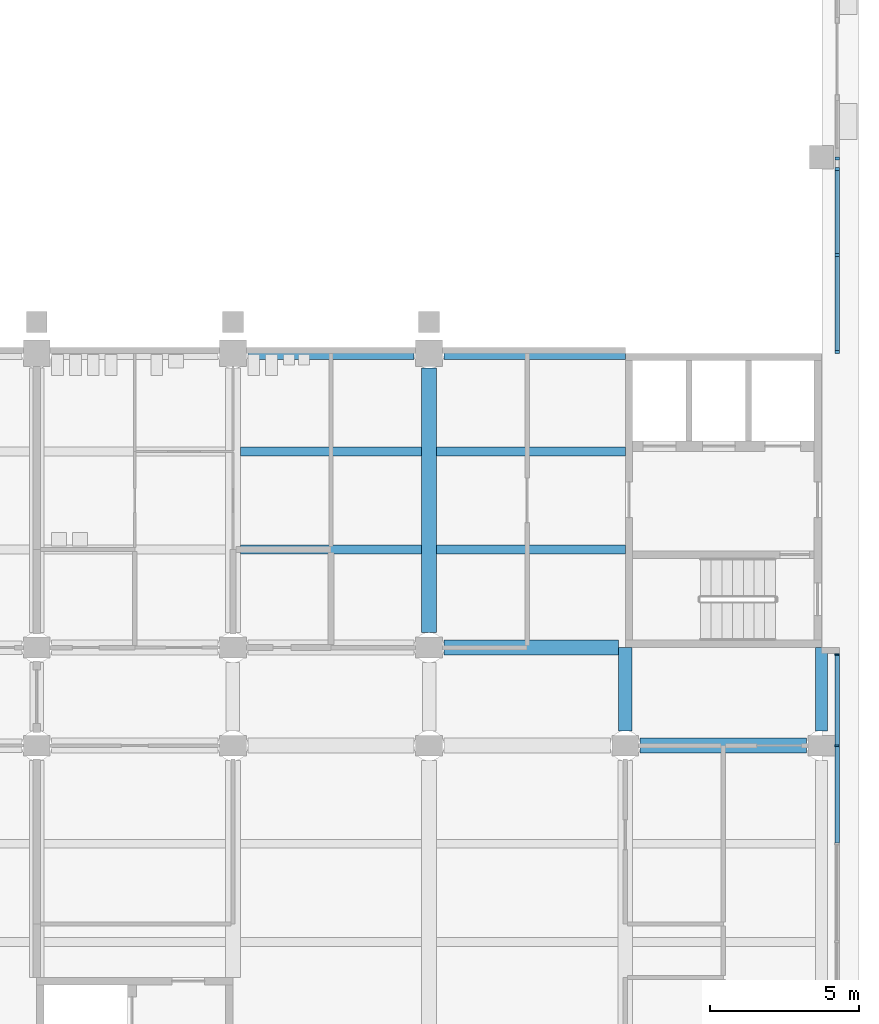
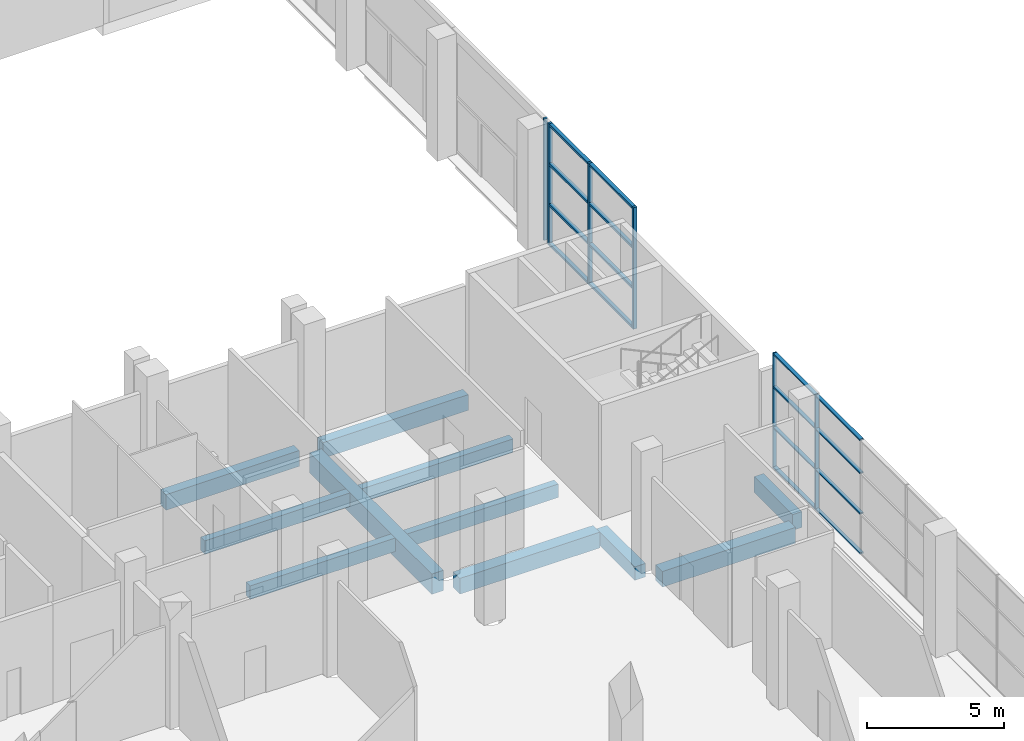
# One storey, part 11 of 85: 22 members, 11 beams, 2 elements without a shape of their own.
"""IFC4 building model written with IfcOpenShell, lengths in metres."""

from ifc_helpers import new_model, si_unit, direction, frame, origin, origin_2d, place, context, subcontext, project, spatial, rectangle, extrude, material, material_profile, profile_set, type_object, element, aggregate, save


model = new_model("IFC4")

# Units and contexts
model_context = context("Model", 3, precision=1e-05, world=origin(), true_north=direction((0.0, 1.0)))
body_context = subcontext(model_context, "Body", "Model", "MODEL_VIEW")
ifc_project = project(units=[si_unit("LENGTHUNIT", "METRE"), si_unit("AREAUNIT", "SQUARE_METRE"), si_unit("VOLUMEUNIT", "CUBIC_METRE"), si_unit("PLANEANGLEUNIT", "RADIAN"), si_unit("MASSUNIT", "GRAM", prefix="KILO")], contexts=[model_context])

# Site, building, storey
site_placement = place(None, origin())
site = spatial("IfcSite", under=ifc_project, at=site_placement, CompositionType="ELEMENT")
building_placement = place(site_placement, origin())
building = spatial("IfcBuilding", under=site, at=building_placement, Name="Lantern Court Research Institute", CompositionType="ELEMENT")
storey_placement = place(building_placement, origin())
storey = spatial("IfcBuildingStorey", under=building, at=storey_placement, Name="L00", CompositionType="ELEMENT", Elevation=0.0)

# Curtain wall, members
ifc_material_1 = material(Name="Aluminium alloy 6063-T6", Category="aluminium")
curtain_wall_type_1 = type_object("IfcCurtainWallType", Name="Curtain wall 6600 x 5400 x 150 aluminium frame", PredefinedType="NOTDEFINED", material=ifc_material_1)
curtain_wall_1_placement = place(storey_placement, origin())
curtain_wall_1 = element("IfcCurtainWall", 1, at=curtain_wall_1_placement, inside=storey, type_object=curtain_wall_type_1, Name="Curtain wall CW001", PredefinedType="NOTDEFINED")
ifc_material_2 = material(Name="Aluminium alloy 6063-T6", Category="aluminium")
ifc_material_profile_1 = material_profile(ifc_material_2, rectangle(XDim=0.14990234375, YDim=0.10009765625, at=origin_2d()), Name="Mullion 150 x 100")
ifc_profile_set_1 = profile_set([ifc_material_profile_1], Name="Aluminium alloy 6063-T6")
member_type_1 = type_object("IfcMemberType", Name="Mullion 150 x 100 aluminium", PredefinedType="MULLION", material=ifc_profile_set_1)
member_1_placement = place(storey_placement, frame((79.72509765625, 23.14990234375, 0.0), z_axis=(0.0, 0.0, 1.0), x_axis=(1.0, 0.0, 0.0)))
member_1 = element("IfcMember", 2, at=member_1_placement, type_object=member_type_1, Name="CW001 mullion 1", PredefinedType="MULLION", context=body_context, shape_type="SweptSolid", body=[
    extrude(rectangle(XDim=0.14990234375, YDim=0.10009765625, at=origin_2d()), origin(), (0.0, 0.0, 1.0), 5.39990234375),
])
member_2_placement = place(storey_placement, frame((79.72509765625, 26.39990234375, 0.0), z_axis=(0.0, 0.0, 1.0), x_axis=(1.0, 0.0, 0.0)))
member_2 = element("IfcMember", 3, at=member_2_placement, type_object=member_type_1, Name="CW001 mullion 2", PredefinedType="MULLION", context=body_context, shape_type="SweptSolid", body=[
    extrude(rectangle(XDim=0.14990234375, YDim=0.10009765625, at=origin_2d()), origin(), (0.0, 0.0, 1.0), 5.39990234375),
])
member_3_placement = place(storey_placement, frame((79.72509765625, 29.300048828125, 0.0), z_axis=(0.0, 0.0, 1.0), x_axis=(1.0, 0.0, 0.0)))
member_3 = element("IfcMember", 4, at=member_3_placement, type_object=member_type_1, Name="CW001 mullion 3", PredefinedType="MULLION", context=body_context, shape_type="SweptSolid", body=[
    extrude(rectangle(XDim=0.14990234375, YDim=0.10009765625, at=origin_2d()), origin(), (0.0, 0.0, 1.0), 5.39990234375),
])
member_4_placement = place(storey_placement, frame((79.72509765625, 29.64990234375, 0.0), z_axis=(0.0, 0.0, 1.0), x_axis=(1.0, 0.0, 0.0)))
member_4 = element("IfcMember", 5, at=member_4_placement, type_object=member_type_1, Name="CW001 mullion 4", PredefinedType="MULLION", context=body_context, shape_type="SweptSolid", body=[
    extrude(rectangle(XDim=0.14990234375, YDim=0.10009765625, at=origin_2d()), origin(), (0.0, 0.0, 1.0), 5.39990234375),
])

ifc_material_3 = material(Name="Aluminium alloy 6063-T6", Category="aluminium")
curtain_wall_type_2 = type_object("IfcCurtainWallType", Name="Curtain wall 21250 x 5100 x 150 aluminium frame", PredefinedType="NOTDEFINED", material=ifc_material_3)
curtain_wall_2_placement = place(storey_placement, origin())
curtain_wall_2 = element("IfcCurtainWall", 6, at=curtain_wall_2_placement, inside=storey, type_object=curtain_wall_type_2, Name="Curtain wall CW014", PredefinedType="NOTDEFINED")
ifc_material_4 = material(Name="Aluminium alloy 6063-T6", Category="aluminium")
ifc_material_profile_2 = material_profile(ifc_material_4, rectangle(XDim=0.14990234375, YDim=0.06005859375, at=origin_2d()), Name="Mullion 150 x 60")
ifc_profile_set_2 = profile_set([ifc_material_profile_2], Name="Aluminium alloy 6063-T6")
member_type_2 = type_object("IfcMemberType", Name="Mullion 150 x 60 aluminium", PredefinedType="MULLION", material=ifc_profile_set_2)
member_5_placement = place(storey_placement, frame((79.72509765625, 9.89990234375, 0.0), z_axis=(0.0, 0.0, 1.0), x_axis=(1.0, 0.0, 0.0)))
member_5 = element("IfcMember", 7, at=member_5_placement, type_object=member_type_2, Name="CW014 mullion 7", PredefinedType="MULLION", context=body_context, shape_type="SweptSolid", body=[
    extrude(rectangle(XDim=0.14990234375, YDim=0.06005859375, at=origin_2d()), origin(), (0.0, 0.0, 1.0), 5.10009765625),
])
member_6_placement = place(storey_placement, frame((79.72509765625, 12.969970703125, 0.0), z_axis=(0.0, 0.0, 1.0), x_axis=(1.0, 0.0, 0.0)))
member_6 = element("IfcMember", 8, at=member_6_placement, type_object=member_type_2, Name="CW014 mullion 8", PredefinedType="MULLION", context=body_context, shape_type="SweptSolid", body=[
    extrude(rectangle(XDim=0.14990234375, YDim=0.06005859375, at=origin_2d()), origin(), (0.0, 0.0, 1.0), 5.10009765625),
])

# Beams
ifc_material_5 = material(Name="Concrete C40/50", Category="concrete")
ifc_material_profile_3 = material_profile(ifc_material_5, rectangle(XDim=0.5, YDim=0.699951171875, at=origin_2d()), Name="RC beam 500 x 700")
ifc_profile_set_3 = profile_set([ifc_material_profile_3], Name="Concrete C40/50")
beam_type_1 = type_object("IfcBeamType", Name="RC beam 500 x 700", PredefinedType="BEAM", material=ifc_profile_set_3)
beam_1_placement = place(storey_placement, frame((73.10009765625, 9.89990234375, -0.64990234375), z_axis=(1.0, 0.0, 0.0), x_axis=(0.0, 1.0, 0.0)))
element("IfcBeam", 9, at=beam_1_placement, inside=storey, type_object=beam_type_1, Name="Beam L00 grid B/12-13", PredefinedType="BEAM", context=body_context, shape_type="SweptSolid", body=[
    extrude(rectangle(XDim=0.5, YDim=0.699951171875, at=origin_2d()), origin(), (0.0, 0.0, 1.0), 5.599853515625),
])
beam_2_placement = place(storey_placement, frame((66.5, 13.199951171875, -0.64990234375), z_axis=(1.0, 0.0, 0.0), x_axis=(0.0, 1.0, 0.0)))
element("IfcBeam", 10, at=beam_2_placement, inside=storey, type_object=beam_type_1, Name="Beam L00 grid C/11-12", PredefinedType="BEAM", context=body_context, shape_type="SweptSolid", body=[
    extrude(rectangle(XDim=0.5, YDim=0.699951171875, at=origin_2d()), origin(), (0.0, 0.0, 1.0), 5.875),
])
ifc_material_6 = material(Name="Concrete C40/50", Category="concrete")
ifc_material_profile_4 = material_profile(ifc_material_6, rectangle(XDim=0.39990234375, YDim=0.699951171875, at=origin_2d()), Name="RC beam 400 x 700")
ifc_profile_set_4 = profile_set([ifc_material_profile_4], Name="Concrete C40/50")
beam_type_2 = type_object("IfcBeamType", Name="RC edge beam 400 x 700", PredefinedType="BEAM", material=ifc_profile_set_4)
beam_3_placement = place(storey_placement, frame((79.199951171875, 10.39990234375, -0.64990234375), z_axis=(0.0, 1.0, 0.0), x_axis=(-1.0, 0.0, 0.0)))
element("IfcBeam", 11, at=beam_3_placement, inside=storey, type_object=beam_type_2, Name="Edge beam L00 grid 13/B-C", PredefinedType="BEAM", context=body_context, shape_type="SweptSolid", body=[
    extrude(rectangle(XDim=0.39990234375, YDim=0.699951171875, at=origin_2d()), origin(), (0.0, 0.0, 1.0), 2.800048828125),
])
beam_4_placement = place(storey_placement, frame((59.89990234375, 23.10009765625, -0.64990234375), z_axis=(1.0, 0.0, 0.0), x_axis=(0.0, 1.0, 0.0)))
element("IfcBeam", 12, at=beam_4_placement, inside=storey, type_object=beam_type_2, Name="Edge beam L00 grid D/10-11", PredefinedType="BEAM", context=body_context, shape_type="SweptSolid", body=[
    extrude(rectangle(XDim=0.39990234375, YDim=0.699951171875, at=origin_2d()), origin(), (0.0, 0.0, 1.0), 5.60009765625),
])
beam_5_placement = place(storey_placement, frame((66.5, 23.10009765625, -0.64990234375), z_axis=(1.0, 0.0, 0.0), x_axis=(0.0, 1.0, 0.0)))
element("IfcBeam", 13, at=beam_5_placement, inside=storey, type_object=beam_type_2, Name="Edge beam L00 grid D/11-12", PredefinedType="BEAM", context=body_context, shape_type="SweptSolid", body=[
    extrude(rectangle(XDim=0.39990234375, YDim=0.699951171875, at=origin_2d()), origin(), (0.0, 0.0, 1.0), 6.10009765625),
])
ifc_material_7 = material(Name="Concrete C40/50", Category="concrete")
ifc_material_profile_5 = material_profile(ifc_material_7, rectangle(XDim=0.5, YDim=0.89990234375, at=origin_2d()), Name="RC beam 500 x 900")
ifc_profile_set_5 = profile_set([ifc_material_profile_5], Name="Concrete C40/50")
beam_type_3 = type_object("IfcBeamType", Name="RC girder 500 x 900", PredefinedType="BEAM", material=ifc_profile_set_5)
beam_6_placement = place(storey_placement, frame((66.0, 13.699951171875, -0.75), z_axis=(0.0, 1.0, 0.0), x_axis=(-1.0, 0.0, 0.0)))
element("IfcBeam", 14, at=beam_6_placement, inside=storey, type_object=beam_type_3, Name="Girder L00 grid 11/C-D", PredefinedType="BEAM", context=body_context, shape_type="SweptSolid", body=[
    extrude(rectangle(XDim=0.5, YDim=0.89990234375, at=origin_2d()), origin(), (0.0, 0.0, 1.0), 8.900146484375),
])
ifc_material_8 = material(Name="Concrete C40/50", Category="concrete")
ifc_material_profile_6 = material_profile(ifc_material_8, rectangle(XDim=0.300048828125, YDim=0.60009765625, at=origin_2d()), Name="RC beam 300 x 600")
ifc_profile_set_6 = profile_set([ifc_material_profile_6], Name="Concrete C40/50")
beam_type_4 = type_object("IfcBeamType", Name="RC secondary beam 300 x 600", PredefinedType="BEAM", material=ifc_profile_set_6)
beam_7_placement = place(storey_placement, frame((59.64990234375, 16.5, -0.60009765625), z_axis=(1.0, 0.0, 0.0), x_axis=(0.0, 1.0, 0.0)))
element("IfcBeam", 15, at=beam_7_placement, inside=storey, type_object=beam_type_4, Name="Secondary beam L00 grids 10-11 / C-D, line 1", PredefinedType="BEAM", context=body_context, shape_type="SweptSolid", body=[
    extrude(rectangle(XDim=0.300048828125, YDim=0.60009765625, at=origin_2d()), origin(), (0.0, 0.0, 1.0), 6.10009765625),
])
beam_8_placement = place(storey_placement, frame((66.25, 16.5, -0.60009765625), z_axis=(1.0, 0.0, 0.0), x_axis=(0.0, 1.0, 0.0)))
element("IfcBeam", 16, at=beam_8_placement, inside=storey, type_object=beam_type_4, Name="Secondary beam L00 grids 11-12 / C-D, line 1", PredefinedType="BEAM", context=body_context, shape_type="SweptSolid", body=[
    extrude(rectangle(XDim=0.300048828125, YDim=0.60009765625, at=origin_2d()), origin(), (0.0, 0.0, 1.0), 6.35009765625),
])
beam_9_placement = place(storey_placement, frame((59.64990234375, 19.800048828125, -0.60009765625), z_axis=(1.0, 0.0, 0.0), x_axis=(0.0, 1.0, 0.0)))
element("IfcBeam", 17, at=beam_9_placement, inside=storey, type_object=beam_type_4, Name="Secondary beam L00 grids 10-11 / C-D, line 2", PredefinedType="BEAM", context=body_context, shape_type="SweptSolid", body=[
    extrude(rectangle(XDim=0.300048828125, YDim=0.60009765625, at=origin_2d()), origin(), (0.0, 0.0, 1.0), 6.10009765625),
])
beam_10_placement = place(storey_placement, frame((66.25, 19.800048828125, -0.60009765625), z_axis=(1.0, 0.0, 0.0), x_axis=(0.0, 1.0, 0.0)))
element("IfcBeam", 18, at=beam_10_placement, inside=storey, type_object=beam_type_4, Name="Secondary beam L00 grids 11-12 / C-D, line 2", PredefinedType="BEAM", context=body_context, shape_type="SweptSolid", body=[
    extrude(rectangle(XDim=0.300048828125, YDim=0.60009765625, at=origin_2d()), origin(), (0.0, 0.0, 1.0), 6.35009765625),
])
ifc_material_9 = material(Name="Concrete C40/50", Category="concrete")
ifc_material_profile_7 = material_profile(ifc_material_9, rectangle(XDim=0.449951171875, YDim=0.60009765625, at=origin_2d()), Name="RC beam 450 x 600")
ifc_profile_set_7 = profile_set([ifc_material_profile_7], Name="Concrete C40/50")
beam_type_5 = type_object("IfcBeamType", Name="RC spine beam 450 x 600", PredefinedType="BEAM", material=ifc_profile_set_7)
beam_11_placement = place(storey_placement, frame((72.60009765625, 10.39990234375, -0.60009765625), z_axis=(0.0, 1.0, 0.0), x_axis=(-1.0, 0.0, 0.0)))
element("IfcBeam", 19, at=beam_11_placement, inside=storey, type_object=beam_type_5, Name="Beam L00 grid 12/B-C", PredefinedType="BEAM", context=body_context, shape_type="SweptSolid", body=[
    extrude(rectangle(XDim=0.449951171875, YDim=0.60009765625, at=origin_2d()), origin(), (0.0, 0.0, 1.0), 2.800048828125),
])

# Member
ifc_material_10 = material(Name="Aluminium alloy 6063-T6", Category="aluminium")
ifc_material_profile_8 = material_profile(ifc_material_10, rectangle(XDim=0.14990234375, YDim=0.10009765625, at=origin_2d()), Name="Transom 150 x 100")
ifc_profile_set_8 = profile_set([ifc_material_profile_8], Name="Aluminium alloy 6063-T6")
member_type_3 = type_object("IfcMemberType", Name="Transom 150 x 100 aluminium", PredefinedType="USERDEFINED", material=ifc_profile_set_8)
member_7_placement = place(storey_placement, frame((79.72509765625, 26.35009765625, 0.050048828125), z_axis=(0.0, -1.0, 0.0), x_axis=(1.0, 0.0, 0.0)))
member_7 = element("IfcMember", 20, at=member_7_placement, type_object=member_type_3, Name="CW001 transom 1.1", ObjectType="TRANSOM", PredefinedType="USERDEFINED", context=body_context, shape_type="SweptSolid", body=[
    extrude(rectangle(XDim=0.14990234375, YDim=0.10009765625, at=origin_2d()), origin(), (0.0, 0.0, 1.0), 3.150146484375),
])

member_8_placement = place(storey_placement, frame((79.72509765625, 26.35009765625, 1.800048828125), z_axis=(0.0, -1.0, 0.0), x_axis=(1.0, 0.0, 0.0)))
member_8 = element("IfcMember", 21, at=member_8_placement, type_object=member_type_3, Name="CW001 transom 1.2", ObjectType="TRANSOM", PredefinedType="USERDEFINED", context=body_context, shape_type="SweptSolid", body=[
    extrude(rectangle(XDim=0.14990234375, YDim=0.10009765625, at=origin_2d()), origin(), (0.0, 0.0, 1.0), 3.150146484375),
])

member_9_placement = place(storey_placement, frame((79.72509765625, 26.35009765625, 3.60009765625), z_axis=(0.0, -1.0, 0.0), x_axis=(1.0, 0.0, 0.0)))
member_9 = element("IfcMember", 22, at=member_9_placement, type_object=member_type_3, Name="CW001 transom 1.3", ObjectType="TRANSOM", PredefinedType="USERDEFINED", context=body_context, shape_type="SweptSolid", body=[
    extrude(rectangle(XDim=0.14990234375, YDim=0.10009765625, at=origin_2d()), origin(), (0.0, 0.0, 1.0), 3.150146484375),
])

member_10_placement = place(storey_placement, frame((79.72509765625, 26.35009765625, 5.35009765625), z_axis=(0.0, -1.0, 0.0), x_axis=(1.0, 0.0, 0.0)))
member_10 = element("IfcMember", 23, at=member_10_placement, type_object=member_type_3, Name="CW001 transom 1.4", ObjectType="TRANSOM", PredefinedType="USERDEFINED", context=body_context, shape_type="SweptSolid", body=[
    extrude(rectangle(XDim=0.14990234375, YDim=0.10009765625, at=origin_2d()), origin(), (0.0, 0.0, 1.0), 3.150146484375),
])

member_11_placement = place(storey_placement, frame((79.72509765625, 29.25, 0.050048828125), z_axis=(0.0, -1.0, 0.0), x_axis=(1.0, 0.0, 0.0)))
member_11 = element("IfcMember", 24, at=member_11_placement, type_object=member_type_3, Name="CW001 transom 2.1", ObjectType="TRANSOM", PredefinedType="USERDEFINED", context=body_context, shape_type="SweptSolid", body=[
    extrude(rectangle(XDim=0.14990234375, YDim=0.10009765625, at=origin_2d()), origin(), (0.0, 0.0, 1.0), 2.800048828125),
])

member_12_placement = place(storey_placement, frame((79.72509765625, 29.25, 1.800048828125), z_axis=(0.0, -1.0, 0.0), x_axis=(1.0, 0.0, 0.0)))
member_12 = element("IfcMember", 25, at=member_12_placement, type_object=member_type_3, Name="CW001 transom 2.2", ObjectType="TRANSOM", PredefinedType="USERDEFINED", context=body_context, shape_type="SweptSolid", body=[
    extrude(rectangle(XDim=0.14990234375, YDim=0.10009765625, at=origin_2d()), origin(), (0.0, 0.0, 1.0), 2.800048828125),
])

member_13_placement = place(storey_placement, frame((79.72509765625, 29.25, 3.60009765625), z_axis=(0.0, -1.0, 0.0), x_axis=(1.0, 0.0, 0.0)))
member_13 = element("IfcMember", 26, at=member_13_placement, type_object=member_type_3, Name="CW001 transom 2.3", ObjectType="TRANSOM", PredefinedType="USERDEFINED", context=body_context, shape_type="SweptSolid", body=[
    extrude(rectangle(XDim=0.14990234375, YDim=0.10009765625, at=origin_2d()), origin(), (0.0, 0.0, 1.0), 2.800048828125),
])

member_14_placement = place(storey_placement, frame((79.72509765625, 29.25, 5.35009765625), z_axis=(0.0, -1.0, 0.0), x_axis=(1.0, 0.0, 0.0)))
member_14 = element("IfcMember", 27, at=member_14_placement, type_object=member_type_3, Name="CW001 transom 2.4", ObjectType="TRANSOM", PredefinedType="USERDEFINED", context=body_context, shape_type="SweptSolid", body=[
    extrude(rectangle(XDim=0.14990234375, YDim=0.10009765625, at=origin_2d()), origin(), (0.0, 0.0, 1.0), 2.800048828125),
])

aggregate(curtain_wall_1, [member_1, member_2, member_3, member_4, member_7, member_8, member_9, member_10, member_11, member_12, member_13, member_14])

ifc_material_11 = material(Name="Aluminium alloy 6063-T6", Category="aluminium")
ifc_material_profile_9 = material_profile(ifc_material_11, rectangle(XDim=0.14990234375, YDim=0.06005859375, at=origin_2d()), Name="Transom 150 x 60")
ifc_profile_set_9 = profile_set([ifc_material_profile_9], Name="Aluminium alloy 6063-T6")
member_type_4 = type_object("IfcMemberType", Name="Transom 150 x 60 aluminium", PredefinedType="USERDEFINED", material=ifc_profile_set_9)
member_15_placement = place(storey_placement, frame((79.72509765625, 9.8701171875, 0.030029296875), z_axis=(0.0, -1.0, 0.0), x_axis=(1.0, 0.0, 0.0)))
member_15 = element("IfcMember", 28, at=member_15_placement, type_object=member_type_4, Name="CW014 transom 6.1", ObjectType="TRANSOM", PredefinedType="USERDEFINED", context=body_context, shape_type="SweptSolid", body=[
    extrude(rectangle(XDim=0.14990234375, YDim=0.06005859375, at=origin_2d()), origin(), (0.0, 0.0, 1.0), 3.240234375),
])

member_16_placement = place(storey_placement, frame((79.72509765625, 9.8701171875, 1.800048828125), z_axis=(0.0, -1.0, 0.0), x_axis=(1.0, 0.0, 0.0)))
member_16 = element("IfcMember", 29, at=member_16_placement, type_object=member_type_4, Name="CW014 transom 6.2", ObjectType="TRANSOM", PredefinedType="USERDEFINED", context=body_context, shape_type="SweptSolid", body=[
    extrude(rectangle(XDim=0.14990234375, YDim=0.06005859375, at=origin_2d()), origin(), (0.0, 0.0, 1.0), 3.240234375),
])

member_17_placement = place(storey_placement, frame((79.72509765625, 9.8701171875, 3.60009765625), z_axis=(0.0, -1.0, 0.0), x_axis=(1.0, 0.0, 0.0)))
member_17 = element("IfcMember", 30, at=member_17_placement, type_object=member_type_4, Name="CW014 transom 6.3", ObjectType="TRANSOM", PredefinedType="USERDEFINED", context=body_context, shape_type="SweptSolid", body=[
    extrude(rectangle(XDim=0.14990234375, YDim=0.06005859375, at=origin_2d()), origin(), (0.0, 0.0, 1.0), 3.240234375),
])

member_18_placement = place(storey_placement, frame((79.72509765625, 9.8701171875, 5.070068359375), z_axis=(0.0, -1.0, 0.0), x_axis=(1.0, 0.0, 0.0)))
member_18 = element("IfcMember", 31, at=member_18_placement, type_object=member_type_4, Name="CW014 transom 6.4", ObjectType="TRANSOM", PredefinedType="USERDEFINED", context=body_context, shape_type="SweptSolid", body=[
    extrude(rectangle(XDim=0.14990234375, YDim=0.06005859375, at=origin_2d()), origin(), (0.0, 0.0, 1.0), 3.240234375),
])

member_19_placement = place(storey_placement, frame((79.72509765625, 12.93994140625, 0.030029296875), z_axis=(0.0, -1.0, 0.0), x_axis=(1.0, 0.0, 0.0)))
member_19 = element("IfcMember", 32, at=member_19_placement, type_object=member_type_4, Name="CW014 transom 7.1", ObjectType="TRANSOM", PredefinedType="USERDEFINED", context=body_context, shape_type="SweptSolid", body=[
    extrude(rectangle(XDim=0.14990234375, YDim=0.06005859375, at=origin_2d()), origin(), (0.0, 0.0, 1.0), 3.010009765625),
])

member_20_placement = place(storey_placement, frame((79.72509765625, 12.93994140625, 1.800048828125), z_axis=(0.0, -1.0, 0.0), x_axis=(1.0, 0.0, 0.0)))
member_20 = element("IfcMember", 33, at=member_20_placement, type_object=member_type_4, Name="CW014 transom 7.2", ObjectType="TRANSOM", PredefinedType="USERDEFINED", context=body_context, shape_type="SweptSolid", body=[
    extrude(rectangle(XDim=0.14990234375, YDim=0.06005859375, at=origin_2d()), origin(), (0.0, 0.0, 1.0), 3.010009765625),
])

member_21_placement = place(storey_placement, frame((79.72509765625, 12.93994140625, 3.60009765625), z_axis=(0.0, -1.0, 0.0), x_axis=(1.0, 0.0, 0.0)))
member_21 = element("IfcMember", 34, at=member_21_placement, type_object=member_type_4, Name="CW014 transom 7.3", ObjectType="TRANSOM", PredefinedType="USERDEFINED", context=body_context, shape_type="SweptSolid", body=[
    extrude(rectangle(XDim=0.14990234375, YDim=0.06005859375, at=origin_2d()), origin(), (0.0, 0.0, 1.0), 3.010009765625),
])

member_22_placement = place(storey_placement, frame((79.72509765625, 12.93994140625, 5.070068359375), z_axis=(0.0, -1.0, 0.0), x_axis=(1.0, 0.0, 0.0)))
member_22 = element("IfcMember", 35, at=member_22_placement, type_object=member_type_4, Name="CW014 transom 7.4", ObjectType="TRANSOM", PredefinedType="USERDEFINED", context=body_context, shape_type="SweptSolid", body=[
    extrude(rectangle(XDim=0.14990234375, YDim=0.06005859375, at=origin_2d()), origin(), (0.0, 0.0, 1.0), 3.010009765625),
])

aggregate(curtain_wall_2, [member_5, member_6, member_15, member_16, member_17, member_18, member_19, member_20, member_21, member_22])

save(model, "model.ifc")
